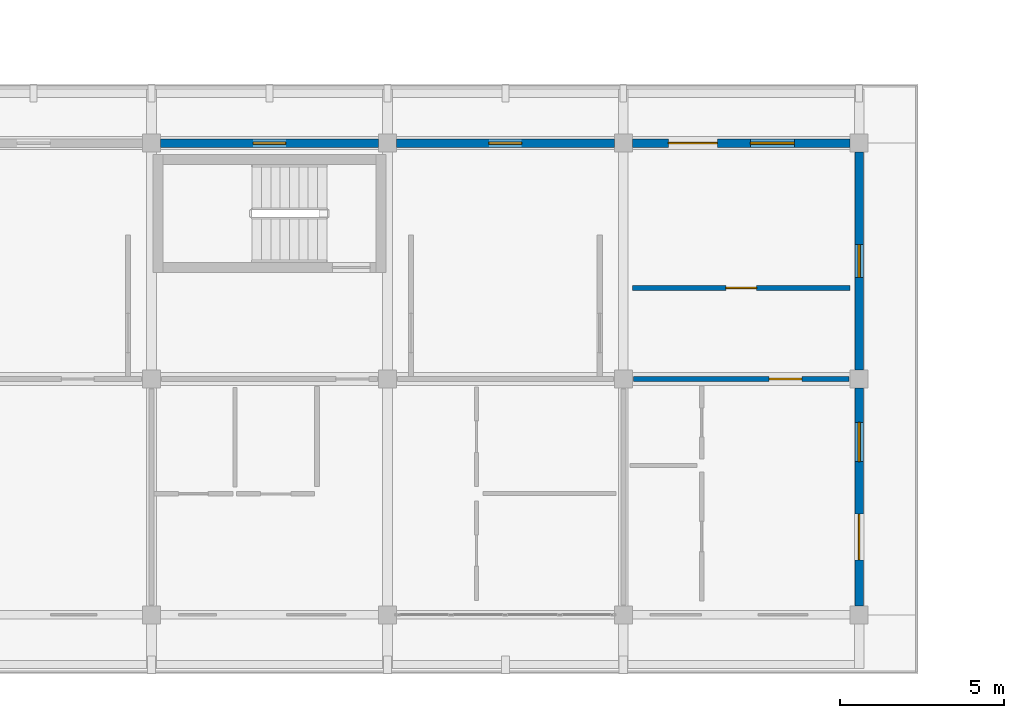
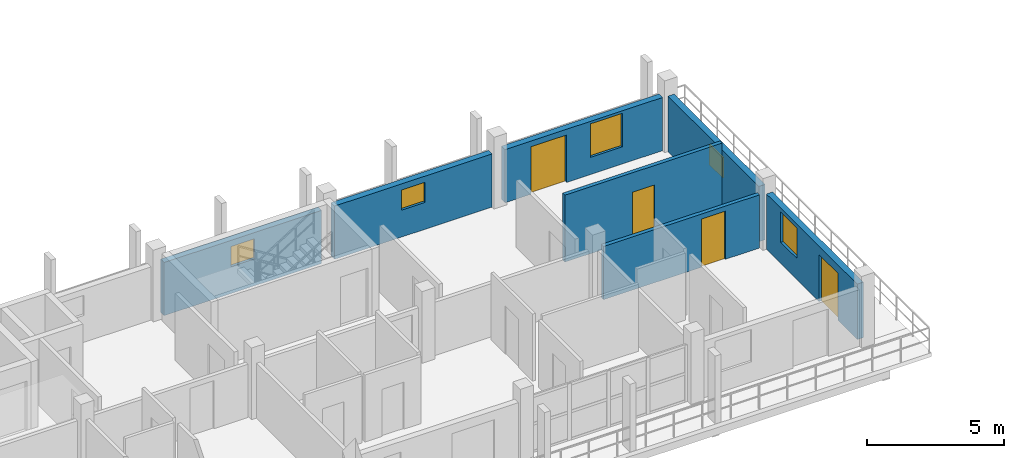
# One storey, part 37 of 67: 7 walls, 5 windows, 4 doors, 9 openings.
"""IFC4 building model written with IfcOpenShell, lengths in metres."""

from ifc_helpers import new_model, si_unit, direction, frame, frame_2d, origin, place, context, subcontext, project, spatial, rectangle, extrude, material, layer, layer_set, type_object, element, fill, save


model = new_model("IFC4")

# Units and contexts
model_context = context("Model", 3, precision=1e-05, world=origin(), true_north=direction((0.0, 1.0)))
body_context = subcontext(model_context, "Body", "Model", "MODEL_VIEW")
ifc_project = project(units=[si_unit("LENGTHUNIT", "METRE"), si_unit("AREAUNIT", "SQUARE_METRE"), si_unit("VOLUMEUNIT", "CUBIC_METRE"), si_unit("PLANEANGLEUNIT", "RADIAN"), si_unit("MASSUNIT", "GRAM", prefix="KILO")], contexts=[model_context])

# Site, building, storey
site_placement = place(None, origin())
site = spatial("IfcSite", under=ifc_project, at=site_placement, CompositionType="ELEMENT")
building_placement = place(site_placement, origin())
building = spatial("IfcBuilding", under=site, at=building_placement, Name="Suanplinth Sawtooth Commons", CompositionType="ELEMENT")
storey_placement = place(building_placement, frame((0.0, 0.0, 25.10009765625)))
storey = spatial("IfcBuildingStorey", under=building, at=storey_placement, Name="L07", CompositionType="ELEMENT", Elevation=25.10009765625)

# Wall, opening, window
ifc_material_1 = material(Name="Precast concrete C40/50", Category="concrete")
ifc_layer_1 = layer(ifc_material_1, 0.260009765625, Name="Insulated precast courtyard facade wall 260mm")
ifc_layer_set_1 = layer_set([ifc_layer_1], Name="Precast concrete C40/50")
wall_type_1 = type_object("IfcWallType", Name="W-EX02", PredefinedType="ELEMENTEDWALL", material=ifc_layer_set_1)
wall_1_placement = place(storey_placement, frame((29.074951171875, 14.39990234375, 0.0), z_axis=(0.0, 0.0, 1.0), x_axis=(1.0, 0.0, 0.0)))
wall_1 = element("IfcWall", 1, at=wall_1_placement, inside=storey, type_object=wall_type_1, Name="Facade Wall W-L07-D-N-4-1", PredefinedType="ELEMENTEDWALL", context=body_context, shape_type="SweptSolid", body=[
    extrude(rectangle(XDim=6.650146484375, YDim=0.260009765625, at=frame_2d((3.3251953125, 0.0))), origin(), (0.0, 0.0, 1.0), 2.375),
])
opening_1_placement = place(wall_1_placement, frame((2.824951171875, 0.0, 1.199951171875)))
opening_1 = element("IfcOpeningElement", 2, at=opening_1_placement, cuts=wall_1, Name="Opening W0700", PredefinedType="OPENING", context=body_context, shape_type="SweptSolid", body=[
    extrude(rectangle(XDim=1.0, YDim=0.89990234375, at=frame_2d((0.5, 0.449951171875))), frame((0.0, 0.14501953125, 0.0), z_axis=(0.0, -1.0, 0.0), x_axis=(1.0, 0.0, 0.0)), (0.0, 0.0, 1.0), 0.289794921875),
])
ifc_material_2 = material(Name="Thermally broken aluminium and low-E double glazing", Category="aluminium")
window_type_1 = type_object("IfcWindowType", Name="WN-12", PartitioningType="SINGLE_PANEL", PredefinedType="WINDOW", material=ifc_material_2)
window_1_placement = place(opening_1_placement, origin())
window_1 = element("IfcWindow", 3, at=window_1_placement, inside=storey, type_object=window_type_1, Name="Core Daylight Window L07-D-4-1", OverallHeight=0.89990234375, OverallWidth=1.0, PartitioningType="SINGLE_PANEL", PredefinedType="WINDOW", context=body_context, shape_type="SweptSolid", body=[
    extrude(rectangle(XDim=1.0, YDim=0.89990234375, at=frame_2d((0.5, 0.449951171875))), frame((0.0, 0.030029296875, 0.0), z_axis=(0.0, -1.0, 0.0), x_axis=(1.0, 0.0, 0.0)), (0.0, 0.0, 1.0), 0.06005859375),
])
fill(opening_1, window_1)

wall_2_placement = place(storey_placement, frame((36.27490234375, 14.39990234375, 0.0), z_axis=(0.0, 0.0, 1.0), x_axis=(1.0, 0.0, 0.0)))
wall_2 = element("IfcWall", 4, at=wall_2_placement, inside=storey, type_object=wall_type_1, Name="Facade Wall W-L07-D-N-5-1", PredefinedType="ELEMENTEDWALL", context=body_context, shape_type="SweptSolid", body=[
    extrude(rectangle(XDim=6.650146484375, YDim=0.260009765625, at=frame_2d((3.3251953125, 0.0))), origin(), (0.0, 0.0, 1.0), 2.375),
])
opening_2_placement = place(wall_2_placement, frame((2.824951171875, 0.0, 1.199951171875)))
opening_2 = element("IfcOpeningElement", 5, at=opening_2_placement, cuts=wall_2, Name="Opening W0701", PredefinedType="OPENING", context=body_context, shape_type="SweptSolid", body=[
    extrude(rectangle(XDim=1.0, YDim=0.89990234375, at=frame_2d((0.5, 0.449951171875))), frame((0.0, 0.14501953125, 0.0), z_axis=(0.0, -1.0, 0.0), x_axis=(1.0, 0.0, 0.0)), (0.0, 0.0, 1.0), 0.289794921875),
])
window_2_placement = place(opening_2_placement, origin())
window_2 = element("IfcWindow", 6, at=window_2_placement, inside=storey, type_object=window_type_1, Name="Core Daylight Window L07-D-5-1", OverallHeight=0.89990234375, OverallWidth=1.0, PartitioningType="SINGLE_PANEL", PredefinedType="WINDOW", context=body_context, shape_type="SweptSolid", body=[
    extrude(rectangle(XDim=1.0, YDim=0.89990234375, at=frame_2d((0.5, 0.449951171875))), frame((0.0, 0.030029296875, 0.0), z_axis=(0.0, -1.0, 0.0), x_axis=(1.0, 0.0, 0.0)), (0.0, 0.0, 1.0), 0.06005859375),
])
fill(opening_2, window_2)

# Wall, openings, door, window
wall_3_placement = place(storey_placement, frame((50.39990234375, 0.27490234375, 0.0), z_axis=(0.0, 0.0, 1.0), x_axis=(0.0, 1.0, 0.0)))
wall_3 = element("IfcWall", 7, at=wall_3_placement, inside=storey, type_object=wall_type_1, Name="Facade Wall W-L07-D-E-6-0", PredefinedType="ELEMENTEDWALL", context=body_context, shape_type="SweptSolid", body=[
    extrude(rectangle(XDim=6.650146484375, YDim=0.260009765625, at=frame_2d((3.3251953125, 0.0))), origin(), (0.0, 0.0, 1.0), 2.474853515625),
])
opening_3_placement = place(wall_3_placement, frame((1.39990234375, 0.0, 0.0)))
opening_3 = element("IfcOpeningElement", 8, at=opening_3_placement, cuts=wall_3, Name="Opening ED0621", PredefinedType="OPENING", context=body_context, shape_type="SweptSolid", body=[
    extrude(rectangle(XDim=1.39990234375, YDim=2.10009765625, at=frame_2d((0.699951171875, 1.050048828125))), frame((0.0, 0.14501953125, 0.0), z_axis=(0.0, -1.0, 0.0), x_axis=(1.0, 0.0, 0.0)), (0.0, 0.0, 1.0), 0.289794921875),
])
opening_4_placement = place(wall_3_placement, frame((4.39990234375, 0.0, 0.949951171875)))
opening_4 = element("IfcOpeningElement", 9, at=opening_4_placement, cuts=wall_3, Name="Opening W0703", PredefinedType="OPENING", context=body_context, shape_type="SweptSolid", body=[
    extrude(rectangle(XDim=1.199951171875, YDim=1.35009765625, at=frame_2d((0.60009765625, 0.675048828125))), frame((0.0, 0.14501953125, 0.0), z_axis=(0.0, -1.0, 0.0), x_axis=(1.0, 0.0, 0.0)), (0.0, 0.0, 1.0), 0.289794921875),
])
ifc_material_3 = material(Name="Anodized aluminium and low-E glass", Category="aluminium")
door_type_1 = type_object("IfcDoorType", Name="SD-07", OperationType="SLIDING_TO_RIGHT", PredefinedType="DOOR", material=ifc_material_3)
door_1_placement = place(opening_3_placement, frame((1.39990234375, 0.0, 0.0), z_axis=(0.0, 0.0, 1.0), x_axis=(-1.0, 0.0, 0.0)))
door_1 = element("IfcDoor", 10, at=door_1_placement, inside=storey, type_object=door_type_1, Name="End Balcony Sliding Door L07-D-E-6-0", OperationType="SLIDING_TO_RIGHT", OverallHeight=2.10009765625, OverallWidth=1.39990234375, PredefinedType="DOOR", context=body_context, shape_type="SweptSolid", body=[
    extrude(rectangle(XDim=1.39990234375, YDim=2.10009765625, at=frame_2d((0.699951171875, 1.050048828125))), frame((0.0, 0.02490234375, 0.0), z_axis=(0.0, -1.0, 0.0), x_axis=(1.0, 0.0, 0.0)), (0.0, 0.0, 1.0), 0.050048828125),
])
fill(opening_3, door_1)
window_type_2 = type_object("IfcWindowType", Name="WN-03", PartitioningType="SINGLE_PANEL", PredefinedType="WINDOW", material=ifc_material_2)
window_3_placement = place(opening_4_placement, origin())
window_3 = element("IfcWindow", 11, at=window_3_placement, inside=storey, type_object=window_type_2, Name="End Bedroom Window L07-D-6-0", OverallHeight=1.35009765625, OverallWidth=1.199951171875, PartitioningType="SINGLE_PANEL", PredefinedType="WINDOW", context=body_context, shape_type="SweptSolid", body=[
    extrude(rectangle(XDim=1.199951171875, YDim=1.35009765625, at=frame_2d((0.60009765625, 0.675048828125))), frame((0.0, 0.030029296875, 0.0), z_axis=(0.0, -1.0, 0.0), x_axis=(1.0, 0.0, 0.0)), (0.0, 0.0, 1.0), 0.06005859375),
])
fill(opening_4, window_3)

wall_4_placement = place(storey_placement, frame((43.47509765625, 14.39990234375, 0.0), z_axis=(0.0, 0.0, 1.0), x_axis=(1.0, 0.0, 0.0)))
wall_4 = element("IfcWall", 12, at=wall_4_placement, inside=storey, type_object=wall_type_1, Name="Facade Wall W-L07-D-N-6-1", PredefinedType="ELEMENTEDWALL", context=body_context, shape_type="SweptSolid", body=[
    extrude(rectangle(XDim=6.64990234375, YDim=0.260009765625, at=frame_2d((3.324951171875, 0.0))), origin(), (0.0, 0.0, 1.0), 2.375),
])
opening_5_placement = place(wall_4_placement, frame((1.10009765625, 0.0, 0.0)))
opening_5 = element("IfcOpeningElement", 13, at=opening_5_placement, cuts=wall_4, Name="Opening ED0622", PredefinedType="OPENING", context=body_context, shape_type="SweptSolid", body=[
    extrude(rectangle(XDim=1.5, YDim=2.1201171875, at=frame_2d((0.75, 1.06005859375))), frame((0.0, 0.14501953125, 0.0), z_axis=(0.0, -1.0, 0.0), x_axis=(1.0, 0.0, 0.0)), (0.0, 0.0, 1.0), 0.289794921875),
])
opening_6_placement = place(wall_4_placement, frame((3.60009765625, 0.0, 0.764892578125)))
opening_6 = element("IfcOpeningElement", 14, at=opening_6_placement, cuts=wall_4, Name="Opening W0704", PredefinedType="OPENING", context=body_context, shape_type="SweptSolid", body=[
    extrude(rectangle(XDim=1.35009765625, YDim=1.5, at=frame_2d((0.675048828125, 0.75))), frame((0.0, 0.14501953125, 0.0), z_axis=(0.0, -1.0, 0.0), x_axis=(1.0, 0.0, 0.0)), (0.0, 0.0, 1.0), 0.289794921875),
])
door_type_2 = type_object("IfcDoorType", Name="SD-03", OperationType="SLIDING_TO_LEFT", PredefinedType="DOOR", material=ifc_material_3)
door_2_placement = place(opening_5_placement, frame((1.5, 0.0, 0.0), z_axis=(0.0, 0.0, 1.0), x_axis=(-1.0, 0.0, 0.0)))
door_2 = element("IfcDoor", 15, at=door_2_placement, inside=storey, type_object=door_type_2, Name="Courtyard Balcony Door L07-D-6", OperationType="SLIDING_TO_LEFT", OverallHeight=2.1201171875, OverallWidth=1.5, PredefinedType="DOOR", context=body_context, shape_type="SweptSolid", body=[
    extrude(rectangle(XDim=1.5, YDim=2.1201171875, at=frame_2d((0.75, 1.06005859375))), frame((0.0, 0.02490234375, 0.0), z_axis=(0.0, -1.0, 0.0), x_axis=(1.0, 0.0, 0.0)), (0.0, 0.0, 1.0), 0.050048828125),
])
fill(opening_5, door_2)
window_type_3 = type_object("IfcWindowType", Name="WN-14", PartitioningType="SINGLE_PANEL", PredefinedType="WINDOW", material=ifc_material_2)
window_4_placement = place(opening_6_placement, origin())
window_4 = element("IfcWindow", 16, at=window_4_placement, inside=storey, type_object=window_type_3, Name="Courtyard Window L07-D-6", OverallHeight=1.5, OverallWidth=1.35009765625, PartitioningType="SINGLE_PANEL", PredefinedType="WINDOW", context=body_context, shape_type="SweptSolid", body=[
    extrude(rectangle(XDim=1.35009765625, YDim=1.5, at=frame_2d((0.675048828125, 0.75))), frame((0.0, 0.030029296875, 0.0), z_axis=(0.0, -1.0, 0.0), x_axis=(1.0, 0.0, 0.0)), (0.0, 0.0, 1.0), 0.06005859375),
])
fill(opening_6, window_4)

# Wall, opening, window
wall_5_placement = place(storey_placement, frame((50.39990234375, 7.47509765625, 0.0), z_axis=(0.0, 0.0, 1.0), x_axis=(0.0, 1.0, 0.0)))
wall_5 = element("IfcWall", 17, at=wall_5_placement, inside=storey, type_object=wall_type_1, Name="Facade Wall W-L07-D-E-6-1", PredefinedType="ELEMENTEDWALL", context=body_context, shape_type="SweptSolid", body=[
    extrude(rectangle(XDim=6.64990234375, YDim=0.260009765625, at=frame_2d((3.324951171875, 0.0))), origin(), (0.0, 0.0, 1.0), 2.474853515625),
])
opening_7_placement = place(wall_5_placement, frame((2.824951171875, 0.0, 1.10009765625)))
opening_7 = element("IfcOpeningElement", 18, at=opening_7_placement, cuts=wall_5, Name="Opening W0705", PredefinedType="OPENING", context=body_context, shape_type="SweptSolid", body=[
    extrude(rectangle(XDim=1.0, YDim=0.89990234375, at=frame_2d((0.5, 0.449951171875))), frame((0.0, 0.14501953125, 0.0), z_axis=(0.0, -1.0, 0.0), x_axis=(1.0, 0.0, 0.0)), (0.0, 0.0, 1.0), 0.289794921875),
])
window_5_placement = place(opening_7_placement, origin())
window_5 = element("IfcWindow", 19, at=window_5_placement, inside=storey, type_object=window_type_1, Name="End Window L07-D-E-6-1", OverallHeight=0.89990234375, OverallWidth=1.0, PartitioningType="SINGLE_PANEL", PredefinedType="WINDOW", context=body_context, shape_type="SweptSolid", body=[
    extrude(rectangle(XDim=1.0, YDim=0.89990234375, at=frame_2d((0.5, 0.449951171875))), frame((0.0, 0.030029296875, 0.0), z_axis=(0.0, -1.0, 0.0), x_axis=(1.0, 0.0, 0.0)), (0.0, 0.0, 1.0), 0.06005859375),
])
fill(opening_7, window_5)

# Wall, opening, door
ifc_layer_2 = layer(ifc_material_1, 0.159912109375, Name="Fire-rated corridor and lobby wall 160mm")
ifc_layer_set_2 = layer_set([ifc_layer_2], Name="Precast concrete C40/50")
wall_type_2 = type_object("IfcWallType", Name="W-FW01", PredefinedType="PARTITIONING", material=ifc_layer_set_2)
wall_6_placement = place(storey_placement, frame((43.5048828125, 7.199951171875, 0.0), z_axis=(0.0, 0.0, 1.0), x_axis=(1.0, 0.0, 0.0)))
wall_6 = element("IfcWall", 20, at=wall_6_placement, inside=storey, type_object=wall_type_2, Name="W-D-L07-U05-COR", PredefinedType="PARTITIONING", context=body_context, shape_type="SweptSolid", body=[
    extrude(rectangle(XDim=6.590087890625, YDim=0.159912109375, at=frame_2d((3.294921875, 0.0))), origin(), (0.0, 0.0, 1.0), 2.375),
])
opening_8_placement = place(wall_6_placement, frame((4.14501953125, 0.0, 0.0)))
opening_8 = element("IfcOpeningElement", 21, at=opening_8_placement, cuts=wall_6, Name="Opening FD1618", PredefinedType="OPENING", context=body_context, shape_type="SweptSolid", body=[
    extrude(rectangle(XDim=1.0, YDim=2.14990234375, at=frame_2d((0.5, 1.074951171875))), frame((0.0, 0.0947265625, 0.0), z_axis=(0.0, -1.0, 0.0), x_axis=(1.0, 0.0, 0.0)), (0.0, 0.0, 1.0), 0.189697265625),
])
ifc_material_4 = material(Name="Teak hardwood fire-rated door assembly", Category="wood")
door_type_3 = type_object("IfcDoorType", Name="FD-03", OperationType="NOTDEFINED", PredefinedType="DOOR", material=ifc_material_4)
door_3_placement = place(opening_8_placement, frame((1.0, 0.0, 0.0), z_axis=(0.0, 0.0, 1.0), x_axis=(-1.0, 0.0, 0.0)))
door_3 = element("IfcDoor", 22, at=door_3_placement, inside=storey, type_object=door_type_3, Name="Unit Entrance Door FD1618", OperationType="SINGLE_SWING_RIGHT", OverallHeight=2.14990234375, OverallWidth=1.0, PredefinedType="DOOR", context=body_context, shape_type="SweptSolid", body=[
    extrude(rectangle(XDim=1.0, YDim=2.14990234375, at=frame_2d((0.5, 1.074951171875))), frame((0.0, 0.02490234375, 0.0), z_axis=(0.0, -1.0, 0.0), x_axis=(1.0, 0.0, 0.0)), (0.0, 0.0, 1.0), 0.050048828125),
])
fill(opening_8, door_3)

wall_7_placement = place(storey_placement, frame((43.47998046875, 9.97998046875, 0.0), z_axis=(0.0, 0.0, 1.0), x_axis=(1.0, 0.0, 0.0)))
wall_7 = element("IfcWall", 23, at=wall_7_placement, inside=storey, type_object=wall_type_2, Name="W-D-L07-COURTROOM-52-COR", PredefinedType="PARTITIONING", context=body_context, shape_type="SweptSolid", body=[
    extrude(rectangle(XDim=6.64013671875, YDim=0.159912109375, at=frame_2d((3.320068359375, 0.0))), origin(), (0.0, 0.0, 1.0), 2.989990234375),
])
opening_9_placement = place(wall_7_placement, frame((2.85009765625, 0.0, 0.0)))
opening_9 = element("IfcOpeningElement", 24, at=opening_9_placement, cuts=wall_7, Name="Opening D1621", PredefinedType="OPENING", context=body_context, shape_type="SweptSolid", body=[
    extrude(rectangle(XDim=0.93994140625, YDim=2.1201171875, at=frame_2d((0.469970703125, 1.06005859375))), frame((0.0, 0.0947265625, 0.0), z_axis=(0.0, -1.0, 0.0), x_axis=(1.0, 0.0, 0.0)), (0.0, 0.0, 1.0), 0.189697265625),
])
ifc_material_5 = material(Name="Teak hardwood", Category="wood")
door_type_4 = type_object("IfcDoorType", Name="D-15", OperationType="NOTDEFINED", PredefinedType="DOOR", material=ifc_material_5)
door_4_placement = place(opening_9_placement, origin())
door_4 = element("IfcDoor", 25, at=door_4_placement, inside=storey, type_object=door_type_4, Name="Study Studio Door D1621", OperationType="SINGLE_SWING_LEFT", OverallHeight=2.1201171875, OverallWidth=0.93994140625, PredefinedType="DOOR", context=body_context, shape_type="SweptSolid", body=[
    extrude(rectangle(XDim=0.93994140625, YDim=2.1201171875, at=frame_2d((0.469970703125, 1.06005859375))), frame((0.0, 0.02490234375, 0.0), z_axis=(0.0, -1.0, 0.0), x_axis=(1.0, 0.0, 0.0)), (0.0, 0.0, 1.0), 0.050048828125),
])
fill(opening_9, door_4)

save(model, "model.ifc")
